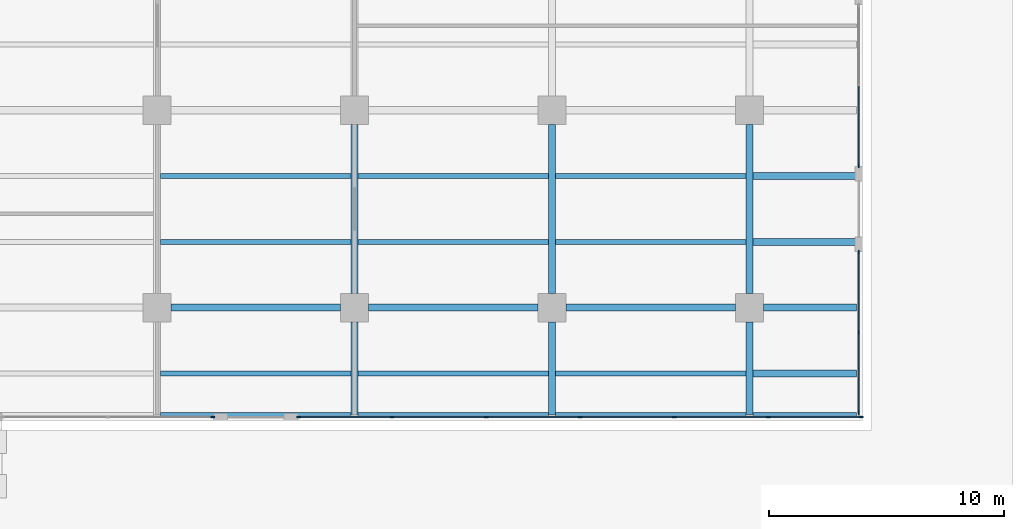
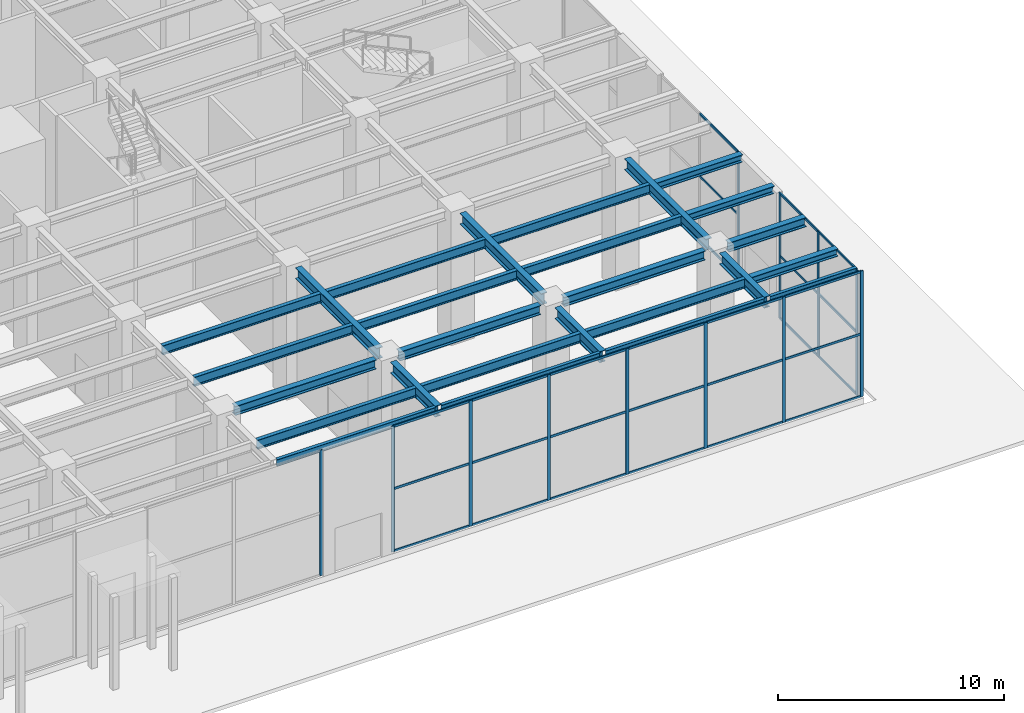
# One storey, part 11 of 43: 39 members, 26 beams, 4 elements without a shape of their own.
"""IFC4 building model written with IfcOpenShell, lengths in metres."""

import ifcopenshell
import ifcopenshell.guid

model = None  # the IFC model being written
_history = None  # IfcOwnerHistory: only IFC2X3 demands one
_inside = {}  # id of a spatial element -> (the spatial element, [elements in it])
_under = {}  # id of a project, library or spatial element -> (it, [spatial elements below it])
_declared = {}  # id of a project -> (the project, [libraries it declares])
_typed = {}  # id of a type object -> (the type object, [elements of that type])
_made_of = {}  # id of a material, layer set ... -> (it, [elements and type objects made of it])


def new_model(schema):
    """Start an empty IFC model of exactly this schema.

    Asked for "IFC4X3", IfcOpenShell would pick the latest addendum, in which some entities
    have other attributes; the version numbers below select the first issue.
    IFC2X3 requires an IfcOwnerHistory on every rooted entity: one is made here for all.
    """
    global model, _history
    if schema == "IFC4X3":
        model = ifcopenshell.file(schema_version=(4, 3, 0, 0))
    else:
        model = ifcopenshell.file(schema=schema)
    _inside.clear()
    _under.clear()
    _declared.clear()
    _typed.clear()
    _made_of.clear()
    _history = None
    if model.schema == "IFC2X3":
        org = make("IfcOrganization", Name="unknown")
        user = make(
            "IfcPersonAndOrganization",
            ThePerson=make("IfcPerson", FamilyName="unknown"),
            TheOrganization=org,
        )
        app = make(
            "IfcApplication",
            ApplicationDeveloper=org,
            Version="unknown",
            ApplicationFullName="unknown",
            ApplicationIdentifier="unknown",
        )
        _history = make(
            "IfcOwnerHistory",
            OwningUser=user,
            OwningApplication=app,
            ChangeAction="ADDED",
            CreationDate=0,
        )
    return model


def make(cls, **values):
    """One entity of the class cls with the attributes given. An attribute that is None is left unset."""
    return model.create_entity(
        cls, **{name: value for name, value in values.items() if value is not None}
    )


def rooted(cls, **values):
    """An entity with a GlobalId (a new one), such as an element, a storey or a relation."""
    return make(cls, GlobalId=ifcopenshell.guid.new(), OwnerHistory=_history, **values)


def si_unit(unit_type, name, prefix=None):
    """IfcSIUnit, for example si_unit("LENGTHUNIT", "METRE", prefix="MILLI")."""
    return make("IfcSIUnit", UnitType=unit_type, Prefix=prefix, Name=name)


def assignment(units):
    """IfcUnitAssignment: the units of a project."""
    return None if units is None else make("IfcUnitAssignment", Units=units)


def point(xyz):
    """IfcCartesianPoint."""
    return None if xyz is None else make("IfcCartesianPoint", Coordinates=xyz)


def direction(xyz):
    """IfcDirection."""
    return None if xyz is None else make("IfcDirection", DirectionRatios=xyz)


def frame(location, z_axis=None, x_axis=None):
    """IfcAxis2Placement3D, a coordinate frame: its origin and axes. An axis left out is left unset."""
    return make(
        "IfcAxis2Placement3D",
        Location=point(location),
        Axis=direction(z_axis),
        RefDirection=direction(x_axis),
    )


def frame_2d(location, x_axis=None):
    """IfcAxis2Placement2D, a coordinate frame in the plane: its origin and x axis."""
    return make(
        "IfcAxis2Placement2D", Location=point(location), RefDirection=direction(x_axis)
    )


def origin():
    """The frame at (0, 0, 0) with its axes left unset."""
    return frame((0.0, 0.0, 0.0))


def origin_2d():
    """The frame at (0, 0) in the plane with its x axis left unset."""
    return frame_2d((0.0, 0.0))


def place(relative_to, where):
    """IfcLocalPlacement: puts the frame where relative to a parent placement (None: the world)."""
    return make(
        "IfcLocalPlacement", PlacementRelTo=relative_to, RelativePlacement=where
    )


def context(
    kind, dimensions, precision=None, world=None, true_north=None, identifier=None
):
    """IfcGeometricRepresentationContext, for example the 3D "Model" context."""
    return make(
        "IfcGeometricRepresentationContext",
        ContextIdentifier=identifier,
        ContextType=kind,
        CoordinateSpaceDimension=dimensions,
        Precision=precision,
        WorldCoordinateSystem=world,
        TrueNorth=true_north,
    )


def subcontext(parent, identifier, kind, view, scale=None):
    """IfcGeometricRepresentationSubContext, for example "Body" below "Model"."""
    return make(
        "IfcGeometricRepresentationSubContext",
        ContextIdentifier=identifier,
        ContextType=kind,
        ParentContext=parent,
        TargetScale=scale,
        TargetView=view,
    )


def project(units=None, contexts=None):
    """IfcProject with its units and contexts."""
    return rooted(
        "IfcProject",
        Name="project",
        RepresentationContexts=contexts,
        UnitsInContext=assignment(units),
    )


def spatial(cls, under=None, at=None, **own):
    """A site, building, storey or space (cls), placed at a placement, below another one or the project."""
    s = rooted(cls, ObjectPlacement=at, **own)
    if under is not None:
        _under.setdefault(under.id(), (under, []))[1].append(s)
    return s


def profile(cls, at=None, kind="AREA", **sizes):
    """A parametric profile (cls). Its sizes go by their IFC names, for example OverallWidth=200.0."""
    return make(cls, ProfileType=kind, Position=at, **sizes)


def rectangle(**sizes):
    """IfcRectangleProfileDef."""
    return profile("IfcRectangleProfileDef", **sizes)


def i_section(**sizes):
    """IfcIShapeProfileDef."""
    return profile("IfcIShapeProfileDef", **sizes)


def extrude(swept, where, along, depth):
    """IfcExtrudedAreaSolid: the profile swept, set in the frame where, extruded along a direction by depth."""
    return make(
        "IfcExtrudedAreaSolid",
        SweptArea=swept,
        Position=where,
        ExtrudedDirection=direction(along),
        Depth=depth,
    )


def shape(context_of_items, identifier, shape_type, items):
    """IfcShapeRepresentation: the items that make up one representation, for example the "Body"."""
    return make(
        "IfcShapeRepresentation",
        ContextOfItems=context_of_items,
        RepresentationIdentifier=identifier,
        RepresentationType=shape_type,
        Items=items,
    )


def material(Name=None, Category=None):
    """IfcMaterial."""
    return make("IfcMaterial", Name=Name, Category=Category)


def material_profile(
    of_material, cross_section, Name=None, Category=None, Priority=None
):
    """IfcMaterialProfile: a cross section and its material."""
    return make(
        "IfcMaterialProfile",
        Name=Name,
        Material=of_material,
        Profile=cross_section,
        Priority=Priority,
        Category=Category,
    )


def profile_set(profiles, Name=None, composite=None):
    """IfcMaterialProfileSet."""
    return make(
        "IfcMaterialProfileSet",
        Name=Name,
        MaterialProfiles=profiles,
        CompositeProfile=composite,
    )


def made_of(thing, what):
    """Note that an element or type object is made of a material, layer set ...; save() writes the relation."""
    if what is not None:
        _made_of.setdefault(what.id(), (what, []))[1].append(thing)
    return thing


def type_object(cls, material=None, **own):
    """A type object (cls), such as IfcWallType, which elements share."""
    return made_of(rooted(cls, **own), material)


def element(
    cls,
    number,
    at=None,
    inside=None,
    cuts=None,
    type_object=None,
    material=None,
    context=None,
    identifier="Body",
    shape_type=None,
    held_by="IfcProductDefinitionShape",
    body=None,
    shapes=None,
    **own,
):
    """One element of the class cls, such as IfcWall. Its Tag is "e" and its number.

    at: its placement. inside: the storey or other place that contains it. cuts: it is an
    opening in that element (IfcRelVoidsElement). A single representation is given by context,
    identifier, shape_type and body (its items); several are given by shapes. held_by: the class
    of the entity that holds the representations. save() writes the other relations.
    """
    e = rooted(cls, Tag="e%d" % number, ObjectPlacement=at, **own)
    if body is not None:
        shapes = [shape(context, identifier, shape_type, body)]
    if shapes is not None:
        e.Representation = make(held_by, Representations=shapes)
    if inside is not None:
        _inside.setdefault(inside.id(), (inside, []))[1].append(e)
    if cuts is not None:
        rooted(
            "IfcRelVoidsElement", RelatingBuildingElement=cuts, RelatedOpeningElement=e
        )
    if type_object is not None:
        _typed.setdefault(type_object.id(), (type_object, []))[1].append(e)
    return made_of(e, material)


def aggregate(whole, parts):
    """IfcRelAggregates: a whole, such as a stair, and the parts it consists of."""
    return rooted("IfcRelAggregates", RelatingObject=whole, RelatedObjects=parts)


def save(model, path):
    """Write the relations noted so far, then the file.

    IfcRelAggregates (storeys below a building ...), IfcRelContainedInSpatialStructure (elements
    in a storey), IfcRelDefinesByType, IfcRelAssociatesMaterial and IfcRelDeclares: one each for
    every whole, place, type object, material and project.
    """
    for whole, parts in _under.values():
        aggregate(whole, parts)
    for where, things in _inside.values():
        rooted(
            "IfcRelContainedInSpatialStructure",
            RelatedElements=things,
            RelatingStructure=where,
        )
    for kind, things in _typed.values():
        rooted("IfcRelDefinesByType", RelatedObjects=things, RelatingType=kind)
    for what, things in _made_of.values():
        rooted("IfcRelAssociatesMaterial", RelatedObjects=things, RelatingMaterial=what)
    for by, libraries in _declared.values():
        rooted("IfcRelDeclares", RelatingContext=by, RelatedDefinitions=libraries)
    model.write(path)


model = new_model("IFC4")

# Units and contexts
model_context = context("Model", 3, precision=1e-05, world=origin(), true_north=direction((0.0, 1.0)))
body_context = subcontext(model_context, "Body", "Model", "MODEL_VIEW")
ifc_project = project(units=[si_unit("LENGTHUNIT", "METRE"), si_unit("AREAUNIT", "SQUARE_METRE"), si_unit("VOLUMEUNIT", "CUBIC_METRE"), si_unit("PLANEANGLEUNIT", "RADIAN"), si_unit("MASSUNIT", "GRAM", prefix="KILO")], contexts=[model_context])

# Site, building, storey
site_placement = place(None, origin())
site = spatial("IfcSite", under=ifc_project, at=site_placement, CompositionType="ELEMENT")
building_placement = place(site_placement, origin())
building = spatial("IfcBuilding", under=site, at=building_placement, Name="Khepri Terraces", CompositionType="ELEMENT")
storey_placement = place(building_placement, origin())
storey = spatial("IfcBuildingStorey", under=building, at=storey_placement, Name="L00", CompositionType="ELEMENT", Elevation=0.0)

# Curtain wall, members
ifc_material_1 = material(Name="Anodised aluminium bronze curtain wall", Category="aluminium")
curtain_wall_type = type_object("IfcCurtainWallType", Name="CW-SYS1-LOBBY", PredefinedType="NOTDEFINED", material=ifc_material_1)
curtain_wall_1_placement = place(storey_placement, origin())
curtain_wall_1 = element("IfcCurtainWall", 1, at=curtain_wall_1_placement, inside=storey, type_object=curtain_wall_type, Name="Curtain wall CW1 L00 E", PredefinedType="NOTDEFINED")
ifc_material_2 = material(Name="Anodised aluminium bronze", Category="aluminium")
ifc_material_profile_1 = material_profile(ifc_material_2, rectangle(XDim=0.06005859375, YDim=0.159912109375, at=origin_2d()), Name="Anodised aluminium bronze", Category="aluminium")
ifc_profile_set_1 = profile_set([ifc_material_profile_1], Name="Anodised aluminium bronze")
member_type_1 = type_object("IfcMemberType", Name="CW-MULLION-60x160", PredefinedType="MULLION", material=ifc_profile_set_1)
member_1_placement = place(storey_placement, frame((46.64990234375, -46.469970703125, 0.0), z_axis=(0.0, 0.0, 1.0), x_axis=(-1.0, 0.0, 0.0)))
member_1 = element("IfcMember", 2, at=member_1_placement, type_object=member_type_1, Name="CW1 mullion 1", PredefinedType="MULLION", context=body_context, shape_type="SweptSolid", body=[
    extrude(rectangle(XDim=0.06005859375, YDim=0.159912109375, at=origin_2d()), origin(), (0.0, 0.0, 1.0), 6.780029296875),
])
member_2_placement = place(storey_placement, frame((46.64990234375, -43.050048828125, 0.0), z_axis=(0.0, 0.0, 1.0), x_axis=(-1.0, 0.0, 0.0)))
member_2 = element("IfcMember", 3, at=member_2_placement, type_object=member_type_1, Name="CW1 mullion 2", PredefinedType="MULLION", context=body_context, shape_type="SweptSolid", body=[
    extrude(rectangle(XDim=0.06005859375, YDim=0.159912109375, at=origin_2d()), origin(), (0.0, 0.0, 1.0), 6.780029296875),
])
member_3_placement = place(storey_placement, frame((46.64990234375, -39.6298828125, 0.0), z_axis=(0.0, 0.0, 1.0), x_axis=(-1.0, 0.0, 0.0)))
member_3 = element("IfcMember", 4, at=member_3_placement, type_object=member_type_1, Name="CW1 mullion 3", PredefinedType="MULLION", context=body_context, shape_type="SweptSolid", body=[
    extrude(rectangle(XDim=0.06005859375, YDim=0.159912109375, at=origin_2d()), origin(), (0.0, 0.0, 1.0), 6.780029296875),
])

# Curtain wall, member
curtain_wall_2_placement = place(storey_placement, origin())
curtain_wall_2 = element("IfcCurtainWall", 5, at=curtain_wall_2_placement, inside=storey, type_object=curtain_wall_type, Name="Curtain wall CW1 L00 E", PredefinedType="NOTDEFINED")
member_4_placement = place(storey_placement, frame((46.64990234375, -35.969970703125, 0.0), z_axis=(0.0, 0.0, 1.0), x_axis=(-1.0, 0.0, 0.0)))
member_4 = element("IfcMember", 6, at=member_4_placement, type_object=member_type_1, Name="CW1 mullion 1", PredefinedType="MULLION", context=body_context, shape_type="SweptSolid", body=[
    extrude(rectangle(XDim=0.06005859375, YDim=0.159912109375, at=origin_2d()), origin(), (0.0, 0.0, 1.0), 6.780029296875),
])

curtain_wall_3_placement = place(storey_placement, origin())
curtain_wall_3 = element("IfcCurtainWall", 7, at=curtain_wall_3_placement, inside=storey, type_object=curtain_wall_type, Name="Curtain wall CW1 L00 S", PredefinedType="NOTDEFINED")
member_5_placement = place(storey_placement, frame((19.169921875, -46.64990234375, 0.0), z_axis=(0.0, 0.0, 1.0), x_axis=(0.0, 1.0, 0.0)))
member_5 = element("IfcMember", 8, at=member_5_placement, type_object=member_type_1, Name="CW1 mullion 3", PredefinedType="MULLION", context=body_context, shape_type="SweptSolid", body=[
    extrude(rectangle(XDim=0.06005859375, YDim=0.159912109375, at=origin_2d()), origin(), (0.0, 0.0, 1.0), 6.780029296875),
])
aggregate(curtain_wall_3, [member_5])

# Curtain wall, members
curtain_wall_4_placement = place(storey_placement, origin())
curtain_wall_4 = element("IfcCurtainWall", 9, at=curtain_wall_4_placement, inside=storey, type_object=curtain_wall_type, Name="Curtain wall CW1 L00 S", PredefinedType="NOTDEFINED")
member_6_placement = place(storey_placement, frame((22.830078125, -46.64990234375, 0.0), z_axis=(0.0, 0.0, 1.0), x_axis=(0.0, 1.0, 0.0)))
member_6 = element("IfcMember", 10, at=member_6_placement, type_object=member_type_1, Name="CW1 mullion 1", PredefinedType="MULLION", context=body_context, shape_type="SweptSolid", body=[
    extrude(rectangle(XDim=0.06005859375, YDim=0.159912109375, at=origin_2d()), origin(), (0.0, 0.0, 1.0), 6.780029296875),
])
member_7_placement = place(storey_placement, frame((26.800048828125, -46.64990234375, 0.0), z_axis=(0.0, 0.0, 1.0), x_axis=(0.0, 1.0, 0.0)))
member_7 = element("IfcMember", 11, at=member_7_placement, type_object=member_type_1, Name="CW1 mullion 2", PredefinedType="MULLION", context=body_context, shape_type="SweptSolid", body=[
    extrude(rectangle(XDim=0.06005859375, YDim=0.159912109375, at=origin_2d()), origin(), (0.0, 0.0, 1.0), 6.780029296875),
])
member_8_placement = place(storey_placement, frame((30.800048828125, -46.64990234375, 0.0), z_axis=(0.0, 0.0, 1.0), x_axis=(0.0, 1.0, 0.0)))
member_8 = element("IfcMember", 12, at=member_8_placement, type_object=member_type_1, Name="CW1 mullion 3", PredefinedType="MULLION", context=body_context, shape_type="SweptSolid", body=[
    extrude(rectangle(XDim=0.06005859375, YDim=0.159912109375, at=origin_2d()), origin(), (0.0, 0.0, 1.0), 6.780029296875),
])
member_9_placement = place(storey_placement, frame((34.800048828125, -46.64990234375, 0.0), z_axis=(0.0, 0.0, 1.0), x_axis=(0.0, 1.0, 0.0)))
member_9 = element("IfcMember", 13, at=member_9_placement, type_object=member_type_1, Name="CW1 mullion 4", PredefinedType="MULLION", context=body_context, shape_type="SweptSolid", body=[
    extrude(rectangle(XDim=0.06005859375, YDim=0.159912109375, at=origin_2d()), origin(), (0.0, 0.0, 1.0), 6.780029296875),
])
member_10_placement = place(storey_placement, frame((38.800048828125, -46.64990234375, 0.0), z_axis=(0.0, 0.0, 1.0), x_axis=(0.0, 1.0, 0.0)))
member_10 = element("IfcMember", 14, at=member_10_placement, type_object=member_type_1, Name="CW1 mullion 5", PredefinedType="MULLION", context=body_context, shape_type="SweptSolid", body=[
    extrude(rectangle(XDim=0.06005859375, YDim=0.159912109375, at=origin_2d()), origin(), (0.0, 0.0, 1.0), 6.780029296875),
])
member_11_placement = place(storey_placement, frame((42.800048828125, -46.64990234375, 0.0), z_axis=(0.0, 0.0, 1.0), x_axis=(0.0, 1.0, 0.0)))
member_11 = element("IfcMember", 15, at=member_11_placement, type_object=member_type_1, Name="CW1 mullion 6", PredefinedType="MULLION", context=body_context, shape_type="SweptSolid", body=[
    extrude(rectangle(XDim=0.06005859375, YDim=0.159912109375, at=origin_2d()), origin(), (0.0, 0.0, 1.0), 6.780029296875),
])
member_12_placement = place(storey_placement, frame((46.77001953125, -46.64990234375, 0.0), z_axis=(0.0, 0.0, 1.0), x_axis=(0.0, 1.0, 0.0)))
member_12 = element("IfcMember", 16, at=member_12_placement, type_object=member_type_1, Name="CW1 mullion 7", PredefinedType="MULLION", context=body_context, shape_type="SweptSolid", body=[
    extrude(rectangle(XDim=0.06005859375, YDim=0.159912109375, at=origin_2d()), origin(), (0.0, 0.0, 1.0), 6.780029296875),
])

# Member
ifc_material_profile_2 = material_profile(ifc_material_2, rectangle(XDim=0.06005859375, YDim=0.1201171875, at=origin_2d()), Name="Anodised aluminium bronze", Category="aluminium")
ifc_profile_set_2 = profile_set([ifc_material_profile_2], Name="Anodised aluminium bronze")
member_type_2 = type_object("IfcMemberType", Name="CW-TRANSOM-60x120", PredefinedType="USERDEFINED", material=ifc_profile_set_2)
member_13_placement = place(storey_placement, frame((46.64990234375, -46.43994140625, 0.030029296875), z_axis=(0.0, 1.0, 0.0), x_axis=(-1.0, 0.0, 0.0)))
member_13 = element("IfcMember", 17, at=member_13_placement, type_object=member_type_2, Name="CW1 transom 1.1", ObjectType="TRANSOM", PredefinedType="USERDEFINED", context=body_context, shape_type="SweptSolid", body=[
    extrude(rectangle(XDim=0.06005859375, YDim=0.1201171875, at=origin_2d()), origin(), (0.0, 0.0, 1.0), 3.35986328125),
])

member_14_placement = place(storey_placement, frame((46.64990234375, -46.43994140625, 3.389892578125), z_axis=(0.0, 1.0, 0.0), x_axis=(-1.0, 0.0, 0.0)))
member_14 = element("IfcMember", 18, at=member_14_placement, type_object=member_type_2, Name="CW1 transom 1.2", ObjectType="TRANSOM", PredefinedType="USERDEFINED", context=body_context, shape_type="SweptSolid", body=[
    extrude(rectangle(XDim=0.06005859375, YDim=0.1201171875, at=origin_2d()), origin(), (0.0, 0.0, 1.0), 3.35986328125),
])

member_15_placement = place(storey_placement, frame((46.64990234375, -46.43994140625, 6.75), z_axis=(0.0, 1.0, 0.0), x_axis=(-1.0, 0.0, 0.0)))
member_15 = element("IfcMember", 19, at=member_15_placement, type_object=member_type_2, Name="CW1 transom 1.3", ObjectType="TRANSOM", PredefinedType="USERDEFINED", context=body_context, shape_type="SweptSolid", body=[
    extrude(rectangle(XDim=0.06005859375, YDim=0.1201171875, at=origin_2d()), origin(), (0.0, 0.0, 1.0), 3.35986328125),
])

member_16_placement = place(storey_placement, frame((46.64990234375, -43.02001953125, 0.030029296875), z_axis=(0.0, 1.0, 0.0), x_axis=(-1.0, 0.0, 0.0)))
member_16 = element("IfcMember", 20, at=member_16_placement, type_object=member_type_2, Name="CW1 transom 2.1", ObjectType="TRANSOM", PredefinedType="USERDEFINED", context=body_context, shape_type="SweptSolid", body=[
    extrude(rectangle(XDim=0.06005859375, YDim=0.1201171875, at=origin_2d()), origin(), (0.0, 0.0, 1.0), 3.360107421875),
])

member_17_placement = place(storey_placement, frame((46.64990234375, -43.02001953125, 3.389892578125), z_axis=(0.0, 1.0, 0.0), x_axis=(-1.0, 0.0, 0.0)))
member_17 = element("IfcMember", 21, at=member_17_placement, type_object=member_type_2, Name="CW1 transom 2.2", ObjectType="TRANSOM", PredefinedType="USERDEFINED", context=body_context, shape_type="SweptSolid", body=[
    extrude(rectangle(XDim=0.06005859375, YDim=0.1201171875, at=origin_2d()), origin(), (0.0, 0.0, 1.0), 3.360107421875),
])

member_18_placement = place(storey_placement, frame((46.64990234375, -43.02001953125, 6.75), z_axis=(0.0, 1.0, 0.0), x_axis=(-1.0, 0.0, 0.0)))
member_18 = element("IfcMember", 22, at=member_18_placement, type_object=member_type_2, Name="CW1 transom 2.3", ObjectType="TRANSOM", PredefinedType="USERDEFINED", context=body_context, shape_type="SweptSolid", body=[
    extrude(rectangle(XDim=0.06005859375, YDim=0.1201171875, at=origin_2d()), origin(), (0.0, 0.0, 1.0), 3.360107421875),
])

aggregate(curtain_wall_1, [member_1, member_2, member_3, member_13, member_14, member_15, member_16, member_17, member_18])

member_19_placement = place(storey_placement, frame((46.64990234375, -35.93994140625, 0.030029296875), z_axis=(0.0, 1.0, 0.0), x_axis=(-1.0, 0.0, 0.0)))
member_19 = element("IfcMember", 23, at=member_19_placement, type_object=member_type_2, Name="CW1 transom 1.1", ObjectType="TRANSOM", PredefinedType="USERDEFINED", context=body_context, shape_type="SweptSolid", body=[
    extrude(rectangle(XDim=0.06005859375, YDim=0.1201171875, at=origin_2d()), origin(), (0.0, 0.0, 1.0), 3.35986328125),
])

member_20_placement = place(storey_placement, frame((46.64990234375, -35.93994140625, 3.389892578125), z_axis=(0.0, 1.0, 0.0), x_axis=(-1.0, 0.0, 0.0)))
member_20 = element("IfcMember", 24, at=member_20_placement, type_object=member_type_2, Name="CW1 transom 1.2", ObjectType="TRANSOM", PredefinedType="USERDEFINED", context=body_context, shape_type="SweptSolid", body=[
    extrude(rectangle(XDim=0.06005859375, YDim=0.1201171875, at=origin_2d()), origin(), (0.0, 0.0, 1.0), 3.35986328125),
])

member_21_placement = place(storey_placement, frame((46.64990234375, -35.93994140625, 6.75), z_axis=(0.0, 1.0, 0.0), x_axis=(-1.0, 0.0, 0.0)))
member_21 = element("IfcMember", 25, at=member_21_placement, type_object=member_type_2, Name="CW1 transom 1.3", ObjectType="TRANSOM", PredefinedType="USERDEFINED", context=body_context, shape_type="SweptSolid", body=[
    extrude(rectangle(XDim=0.06005859375, YDim=0.1201171875, at=origin_2d()), origin(), (0.0, 0.0, 1.0), 3.35986328125),
])

aggregate(curtain_wall_2, [member_4, member_19, member_20, member_21])

member_22_placement = place(storey_placement, frame((22.860107421875, -46.64990234375, 0.030029296875), z_axis=(1.0, 0.0, 0.0), x_axis=(0.0, 1.0, 0.0)))
member_22 = element("IfcMember", 26, at=member_22_placement, type_object=member_type_2, Name="CW1 transom 1.1", ObjectType="TRANSOM", PredefinedType="USERDEFINED", context=body_context, shape_type="SweptSolid", body=[
    extrude(rectangle(XDim=0.06005859375, YDim=0.1201171875, at=origin_2d()), origin(), (0.0, 0.0, 1.0), 3.909912109375),
])

member_23_placement = place(storey_placement, frame((22.860107421875, -46.64990234375, 3.389892578125), z_axis=(1.0, 0.0, 0.0), x_axis=(0.0, 1.0, 0.0)))
member_23 = element("IfcMember", 27, at=member_23_placement, type_object=member_type_2, Name="CW1 transom 1.2", ObjectType="TRANSOM", PredefinedType="USERDEFINED", context=body_context, shape_type="SweptSolid", body=[
    extrude(rectangle(XDim=0.06005859375, YDim=0.1201171875, at=origin_2d()), origin(), (0.0, 0.0, 1.0), 3.909912109375),
])

member_24_placement = place(storey_placement, frame((22.860107421875, -46.64990234375, 6.75), z_axis=(1.0, 0.0, 0.0), x_axis=(0.0, 1.0, 0.0)))
member_24 = element("IfcMember", 28, at=member_24_placement, type_object=member_type_2, Name="CW1 transom 1.3", ObjectType="TRANSOM", PredefinedType="USERDEFINED", context=body_context, shape_type="SweptSolid", body=[
    extrude(rectangle(XDim=0.06005859375, YDim=0.1201171875, at=origin_2d()), origin(), (0.0, 0.0, 1.0), 3.909912109375),
])

member_25_placement = place(storey_placement, frame((26.830078125, -46.64990234375, 0.030029296875), z_axis=(1.0, 0.0, 0.0), x_axis=(0.0, 1.0, 0.0)))
member_25 = element("IfcMember", 29, at=member_25_placement, type_object=member_type_2, Name="CW1 transom 2.1", ObjectType="TRANSOM", PredefinedType="USERDEFINED", context=body_context, shape_type="SweptSolid", body=[
    extrude(rectangle(XDim=0.06005859375, YDim=0.1201171875, at=origin_2d()), origin(), (0.0, 0.0, 1.0), 3.93994140625),
])

member_26_placement = place(storey_placement, frame((26.830078125, -46.64990234375, 3.389892578125), z_axis=(1.0, 0.0, 0.0), x_axis=(0.0, 1.0, 0.0)))
member_26 = element("IfcMember", 30, at=member_26_placement, type_object=member_type_2, Name="CW1 transom 2.2", ObjectType="TRANSOM", PredefinedType="USERDEFINED", context=body_context, shape_type="SweptSolid", body=[
    extrude(rectangle(XDim=0.06005859375, YDim=0.1201171875, at=origin_2d()), origin(), (0.0, 0.0, 1.0), 3.93994140625),
])

member_27_placement = place(storey_placement, frame((26.830078125, -46.64990234375, 6.75), z_axis=(1.0, 0.0, 0.0), x_axis=(0.0, 1.0, 0.0)))
member_27 = element("IfcMember", 31, at=member_27_placement, type_object=member_type_2, Name="CW1 transom 2.3", ObjectType="TRANSOM", PredefinedType="USERDEFINED", context=body_context, shape_type="SweptSolid", body=[
    extrude(rectangle(XDim=0.06005859375, YDim=0.1201171875, at=origin_2d()), origin(), (0.0, 0.0, 1.0), 3.93994140625),
])

member_28_placement = place(storey_placement, frame((30.830078125, -46.64990234375, 0.030029296875), z_axis=(1.0, 0.0, 0.0), x_axis=(0.0, 1.0, 0.0)))
member_28 = element("IfcMember", 32, at=member_28_placement, type_object=member_type_2, Name="CW1 transom 3.1", ObjectType="TRANSOM", PredefinedType="USERDEFINED", context=body_context, shape_type="SweptSolid", body=[
    extrude(rectangle(XDim=0.06005859375, YDim=0.1201171875, at=origin_2d()), origin(), (0.0, 0.0, 1.0), 3.93994140625),
])

member_29_placement = place(storey_placement, frame((30.830078125, -46.64990234375, 3.389892578125), z_axis=(1.0, 0.0, 0.0), x_axis=(0.0, 1.0, 0.0)))
member_29 = element("IfcMember", 33, at=member_29_placement, type_object=member_type_2, Name="CW1 transom 3.2", ObjectType="TRANSOM", PredefinedType="USERDEFINED", context=body_context, shape_type="SweptSolid", body=[
    extrude(rectangle(XDim=0.06005859375, YDim=0.1201171875, at=origin_2d()), origin(), (0.0, 0.0, 1.0), 3.93994140625),
])

member_30_placement = place(storey_placement, frame((30.830078125, -46.64990234375, 6.75), z_axis=(1.0, 0.0, 0.0), x_axis=(0.0, 1.0, 0.0)))
member_30 = element("IfcMember", 34, at=member_30_placement, type_object=member_type_2, Name="CW1 transom 3.3", ObjectType="TRANSOM", PredefinedType="USERDEFINED", context=body_context, shape_type="SweptSolid", body=[
    extrude(rectangle(XDim=0.06005859375, YDim=0.1201171875, at=origin_2d()), origin(), (0.0, 0.0, 1.0), 3.93994140625),
])

member_31_placement = place(storey_placement, frame((34.830078125, -46.64990234375, 0.030029296875), z_axis=(1.0, 0.0, 0.0), x_axis=(0.0, 1.0, 0.0)))
member_31 = element("IfcMember", 35, at=member_31_placement, type_object=member_type_2, Name="CW1 transom 4.1", ObjectType="TRANSOM", PredefinedType="USERDEFINED", context=body_context, shape_type="SweptSolid", body=[
    extrude(rectangle(XDim=0.06005859375, YDim=0.1201171875, at=origin_2d()), origin(), (0.0, 0.0, 1.0), 3.93994140625),
])

member_32_placement = place(storey_placement, frame((34.830078125, -46.64990234375, 3.389892578125), z_axis=(1.0, 0.0, 0.0), x_axis=(0.0, 1.0, 0.0)))
member_32 = element("IfcMember", 36, at=member_32_placement, type_object=member_type_2, Name="CW1 transom 4.2", ObjectType="TRANSOM", PredefinedType="USERDEFINED", context=body_context, shape_type="SweptSolid", body=[
    extrude(rectangle(XDim=0.06005859375, YDim=0.1201171875, at=origin_2d()), origin(), (0.0, 0.0, 1.0), 3.93994140625),
])

member_33_placement = place(storey_placement, frame((34.830078125, -46.64990234375, 6.75), z_axis=(1.0, 0.0, 0.0), x_axis=(0.0, 1.0, 0.0)))
member_33 = element("IfcMember", 37, at=member_33_placement, type_object=member_type_2, Name="CW1 transom 4.3", ObjectType="TRANSOM", PredefinedType="USERDEFINED", context=body_context, shape_type="SweptSolid", body=[
    extrude(rectangle(XDim=0.06005859375, YDim=0.1201171875, at=origin_2d()), origin(), (0.0, 0.0, 1.0), 3.93994140625),
])

member_34_placement = place(storey_placement, frame((38.830078125, -46.64990234375, 0.030029296875), z_axis=(1.0, 0.0, 0.0), x_axis=(0.0, 1.0, 0.0)))
member_34 = element("IfcMember", 38, at=member_34_placement, type_object=member_type_2, Name="CW1 transom 5.1", ObjectType="TRANSOM", PredefinedType="USERDEFINED", context=body_context, shape_type="SweptSolid", body=[
    extrude(rectangle(XDim=0.06005859375, YDim=0.1201171875, at=origin_2d()), origin(), (0.0, 0.0, 1.0), 3.93994140625),
])

member_35_placement = place(storey_placement, frame((38.830078125, -46.64990234375, 3.389892578125), z_axis=(1.0, 0.0, 0.0), x_axis=(0.0, 1.0, 0.0)))
member_35 = element("IfcMember", 39, at=member_35_placement, type_object=member_type_2, Name="CW1 transom 5.2", ObjectType="TRANSOM", PredefinedType="USERDEFINED", context=body_context, shape_type="SweptSolid", body=[
    extrude(rectangle(XDim=0.06005859375, YDim=0.1201171875, at=origin_2d()), origin(), (0.0, 0.0, 1.0), 3.93994140625),
])

member_36_placement = place(storey_placement, frame((38.830078125, -46.64990234375, 6.75), z_axis=(1.0, 0.0, 0.0), x_axis=(0.0, 1.0, 0.0)))
member_36 = element("IfcMember", 40, at=member_36_placement, type_object=member_type_2, Name="CW1 transom 5.3", ObjectType="TRANSOM", PredefinedType="USERDEFINED", context=body_context, shape_type="SweptSolid", body=[
    extrude(rectangle(XDim=0.06005859375, YDim=0.1201171875, at=origin_2d()), origin(), (0.0, 0.0, 1.0), 3.93994140625),
])

member_37_placement = place(storey_placement, frame((42.830078125, -46.64990234375, 0.030029296875), z_axis=(1.0, 0.0, 0.0), x_axis=(0.0, 1.0, 0.0)))
member_37 = element("IfcMember", 41, at=member_37_placement, type_object=member_type_2, Name="CW1 transom 6.1", ObjectType="TRANSOM", PredefinedType="USERDEFINED", context=body_context, shape_type="SweptSolid", body=[
    extrude(rectangle(XDim=0.06005859375, YDim=0.1201171875, at=origin_2d()), origin(), (0.0, 0.0, 1.0), 3.909912109375),
])

member_38_placement = place(storey_placement, frame((42.830078125, -46.64990234375, 3.389892578125), z_axis=(1.0, 0.0, 0.0), x_axis=(0.0, 1.0, 0.0)))
member_38 = element("IfcMember", 42, at=member_38_placement, type_object=member_type_2, Name="CW1 transom 6.2", ObjectType="TRANSOM", PredefinedType="USERDEFINED", context=body_context, shape_type="SweptSolid", body=[
    extrude(rectangle(XDim=0.06005859375, YDim=0.1201171875, at=origin_2d()), origin(), (0.0, 0.0, 1.0), 3.909912109375),
])

member_39_placement = place(storey_placement, frame((42.830078125, -46.64990234375, 6.75), z_axis=(1.0, 0.0, 0.0), x_axis=(0.0, 1.0, 0.0)))
member_39 = element("IfcMember", 43, at=member_39_placement, type_object=member_type_2, Name="CW1 transom 6.3", ObjectType="TRANSOM", PredefinedType="USERDEFINED", context=body_context, shape_type="SweptSolid", body=[
    extrude(rectangle(XDim=0.06005859375, YDim=0.1201171875, at=origin_2d()), origin(), (0.0, 0.0, 1.0), 3.909912109375),
])

aggregate(curtain_wall_4, [member_6, member_7, member_8, member_9, member_10, member_11, member_12, member_22, member_23, member_24, member_25, member_26, member_27, member_28, member_29, member_30, member_31, member_32, member_33, member_34, member_35, member_36, member_37, member_38, member_39])

# Beams
ifc_material_3 = material(Name="Steel S355", Category="steel")
ifc_material_profile_3 = material_profile(ifc_material_3, i_section(OverallWidth=0.169921875, OverallDepth=0.360107421875, WebThickness=0.008056640625, FlangeThickness=0.0126953125, FilletRadius=0.01806640625, at=origin_2d()), Name="Steel S355", Category="steel")
ifc_profile_set_3 = profile_set([ifc_material_profile_3], Name="Steel S355")
beam_type_1 = type_object("IfcBeamType", Name="Podium cantilever edge beam L01 IPE 360", PredefinedType="SPANDREL", material=ifc_profile_set_3)
beam_1_placement = place(storey_placement, frame((42.14990234375, -46.550048828125, 6.820068359375), z_axis=(1.0, 0.0, 0.0), x_axis=(0.0, 1.0, 0.0)))
element("IfcBeam", 44, at=beam_1_placement, inside=storey, type_object=beam_type_1, Name="Podium edge beam L01 012", PredefinedType="SPANDREL", context=body_context, shape_type="SweptSolid", body=[
    extrude(i_section(OverallWidth=0.169921875, OverallDepth=0.360107421875, WebThickness=0.008056640625, FlangeThickness=0.0126953125, FilletRadius=0.01806640625, at=origin_2d()), origin(), (0.0, 0.0, 1.0), 4.400146484375),
])
ifc_material_profile_4 = material_profile(ifc_material_3, i_section(OverallWidth=0.300048828125, OverallDepth=0.60009765625, WebThickness=0.015380859375, FlangeThickness=0.030029296875, FilletRadius=0.027099609375, at=origin_2d()), Name="Steel S355", Category="steel")
ifc_profile_set_4 = profile_set([ifc_material_profile_4], Name="Steel S355")
beam_type_2 = type_object("IfcBeamType", Name="Podium cantilever girder L01 HEB 600", PredefinedType="BEAM", material=ifc_profile_set_4)
for number, where, z_axis, x_axis, name in (
    (45, (25.199951171875, -46.550048828125, 6.699951171875), (0.0, 1.0, 0.0), (-1.0, 0.0, 0.0), "Podium girder L01 065"),
    (46, (33.60009765625, -46.550048828125, 6.699951171875), (0.0, 1.0, 0.0), (-1.0, 0.0, 0.0), "Podium girder L01 075"),
    (47, (42.0, -46.550048828125, 6.699951171875), (0.0, 1.0, 0.0), (-1.0, 0.0, 0.0), "Podium girder L01 087"),
):
    element("IfcBeam", number, at=place(storey_placement, frame(where, z_axis=z_axis, x_axis=x_axis)), inside=storey, type_object=beam_type_2, Name=name, PredefinedType="BEAM", context=body_context, shape_type="SweptSolid", body=[
        extrude(i_section(OverallWidth=0.300048828125, OverallDepth=0.60009765625, WebThickness=0.015380859375, FlangeThickness=0.030029296875, FilletRadius=0.027099609375, at=origin_2d()), origin(), (0.0, 0.0, 1.0), 3.949951171875),
    ])
ifc_material_profile_5 = material_profile(ifc_material_3, i_section(OverallWidth=0.300048828125, OverallDepth=0.39990234375, WebThickness=0.013427734375, FlangeThickness=0.02392578125, FilletRadius=0.027099609375, at=origin_2d()), Name="Steel S355", Category="steel")
ifc_profile_set_5 = profile_set([ifc_material_profile_5], Name="Steel S355")
beam_type_3 = type_object("IfcBeamType", Name="Podium cantilever joist L01 HEB 400", PredefinedType="JOIST", material=ifc_profile_set_5)
for number, where, z_axis, x_axis, name in (
    (48, (42.14990234375, -44.800048828125, 6.800048828125), (1.0, 0.0, 0.0), (0.0, 1.0, 0.0), "Podium cantilever joist L01 012"),
    (49, (42.14990234375, -39.199951171875, 6.800048828125), (1.0, 0.0, 0.0), (0.0, 1.0, 0.0), "Podium cantilever joist L01 036"),
    (50, (42.14990234375, -36.39990234375, 6.800048828125), (1.0, 0.0, 0.0), (0.0, 1.0, 0.0), "Podium cantilever joist L01 048"),
):
    element("IfcBeam", number, at=place(storey_placement, frame(where, z_axis=z_axis, x_axis=x_axis)), inside=storey, type_object=beam_type_3, Name=name, PredefinedType="JOIST", context=body_context, shape_type="SweptSolid", body=[
        extrude(i_section(OverallWidth=0.300048828125, OverallDepth=0.39990234375, WebThickness=0.013427734375, FlangeThickness=0.02392578125, FilletRadius=0.027099609375, at=origin_2d()), origin(), (0.0, 0.0, 1.0), 4.400146484375),
    ])
ifc_material_profile_6 = material_profile(ifc_material_3, i_section(OverallWidth=0.169921875, OverallDepth=0.360107421875, WebThickness=0.008056640625, FlangeThickness=0.0126953125, FilletRadius=0.01806640625, at=origin_2d()), Name="Steel S355", Category="steel")
ifc_profile_set_6 = profile_set([ifc_material_profile_6], Name="Steel S355")
beam_type_4 = type_object("IfcBeamType", Name="Podium edge beam L01 IPE 360", PredefinedType="SPANDREL", material=ifc_profile_set_6)
beam_2_placement = place(storey_placement, frame((16.949951171875, -46.550048828125, 6.820068359375), z_axis=(1.0, 0.0, 0.0), x_axis=(0.0, 1.0, 0.0)))
element("IfcBeam", 51, at=beam_2_placement, inside=storey, type_object=beam_type_4, Name="Podium edge beam L01 009", PredefinedType="SPANDREL", context=body_context, shape_type="SweptSolid", body=[
    extrude(i_section(OverallWidth=0.169921875, OverallDepth=0.360107421875, WebThickness=0.008056640625, FlangeThickness=0.0126953125, FilletRadius=0.01806640625, at=origin_2d()), origin(), (0.0, 0.0, 1.0), 8.10009765625),
])
beam_3_placement = place(storey_placement, frame((25.35009765625, -46.550048828125, 6.820068359375), z_axis=(1.0, 0.0, 0.0), x_axis=(0.0, 1.0, 0.0)))
element("IfcBeam", 52, at=beam_3_placement, inside=storey, type_object=beam_type_4, Name="Podium edge beam L01 010", PredefinedType="SPANDREL", context=body_context, shape_type="SweptSolid", body=[
    extrude(i_section(OverallWidth=0.169921875, OverallDepth=0.360107421875, WebThickness=0.008056640625, FlangeThickness=0.0126953125, FilletRadius=0.01806640625, at=origin_2d()), origin(), (0.0, 0.0, 1.0), 8.099853515625),
])
beam_4_placement = place(storey_placement, frame((33.75, -46.550048828125, 6.820068359375), z_axis=(1.0, 0.0, 0.0), x_axis=(0.0, 1.0, 0.0)))
element("IfcBeam", 53, at=beam_4_placement, inside=storey, type_object=beam_type_4, Name="Podium edge beam L01 011", PredefinedType="SPANDREL", context=body_context, shape_type="SweptSolid", body=[
    extrude(i_section(OverallWidth=0.169921875, OverallDepth=0.360107421875, WebThickness=0.008056640625, FlangeThickness=0.0126953125, FilletRadius=0.01806640625, at=origin_2d()), origin(), (0.0, 0.0, 1.0), 8.10009765625),
])
ifc_material_profile_7 = material_profile(ifc_material_3, i_section(OverallWidth=0.300048828125, OverallDepth=0.60009765625, WebThickness=0.015380859375, FlangeThickness=0.030029296875, FilletRadius=0.027099609375, at=origin_2d()), Name="Steel S355", Category="steel")
ifc_profile_set_7 = profile_set([ifc_material_profile_7], Name="Steel S355")
beam_type_5 = type_object("IfcBeamType", Name="Podium girder L01 HEB 600", PredefinedType="BEAM", material=ifc_profile_set_7)
for number, where, z_axis, x_axis, name in (
    (54, (25.199951171875, -41.39990234375, 6.699951171875), (0.0, 1.0, 0.0), (-1.0, 0.0, 0.0), "Podium girder L01 066"),
    (55, (33.60009765625, -41.39990234375, 6.699951171875), (0.0, 1.0, 0.0), (-1.0, 0.0, 0.0), "Podium girder L01 076"),
    (56, (42.0, -41.39990234375, 6.699951171875), (0.0, 1.0, 0.0), (-1.0, 0.0, 0.0), "Podium girder L01 088"),
):
    element("IfcBeam", number, at=place(storey_placement, frame(where, z_axis=z_axis, x_axis=x_axis)), inside=storey, type_object=beam_type_5, Name=name, PredefinedType="BEAM", context=body_context, shape_type="SweptSolid", body=[
        extrude(i_section(OverallWidth=0.300048828125, OverallDepth=0.60009765625, WebThickness=0.015380859375, FlangeThickness=0.030029296875, FilletRadius=0.027099609375, at=origin_2d()), origin(), (0.0, 0.0, 1.0), 7.199951171875),
    ])
ifc_material_profile_8 = material_profile(ifc_material_3, i_section(OverallWidth=0.300048828125, OverallDepth=0.5, WebThickness=0.014404296875, FlangeThickness=0.028076171875, FilletRadius=0.027099609375, at=origin_2d()), Name="Steel S355", Category="steel")
ifc_profile_set_8 = profile_set([ifc_material_profile_8], Name="Steel S355")
beam_type_6 = type_object("IfcBeamType", Name="Podium girder L01 grid line HEB 500", PredefinedType="BEAM", material=ifc_profile_set_8)
beam_5_placement = place(storey_placement, frame((17.39990234375, -42.0, 6.75), z_axis=(1.0, 0.0, 0.0), x_axis=(0.0, 1.0, 0.0)))
element("IfcBeam", 57, at=beam_5_placement, inside=storey, type_object=beam_type_6, Name="Podium grid-line girder L01 021", PredefinedType="BEAM", context=body_context, shape_type="SweptSolid", body=[
    extrude(i_section(OverallWidth=0.300048828125, OverallDepth=0.5, WebThickness=0.014404296875, FlangeThickness=0.028076171875, FilletRadius=0.027099609375, at=origin_2d()), origin(), (0.0, 0.0, 1.0), 7.2001953125),
])
for number, where, z_axis, x_axis, name in (
    (58, (25.800048828125, -42.0, 6.75), (1.0, 0.0, 0.0), (0.0, 1.0, 0.0), "Podium grid-line girder L01 022"),
    (59, (34.199951171875, -42.0, 6.75), (1.0, 0.0, 0.0), (0.0, 1.0, 0.0), "Podium grid-line girder L01 023"),
):
    element("IfcBeam", number, at=place(storey_placement, frame(where, z_axis=z_axis, x_axis=x_axis)), inside=storey, type_object=beam_type_6, Name=name, PredefinedType="BEAM", context=body_context, shape_type="SweptSolid", body=[
        extrude(i_section(OverallWidth=0.300048828125, OverallDepth=0.5, WebThickness=0.014404296875, FlangeThickness=0.028076171875, FilletRadius=0.027099609375, at=origin_2d()), origin(), (0.0, 0.0, 1.0), 7.199951171875),
    ])
beam_6_placement = place(storey_placement, frame((42.60009765625, -42.0, 6.75), z_axis=(1.0, 0.0, 0.0), x_axis=(0.0, 1.0, 0.0)))
element("IfcBeam", 60, at=beam_6_placement, inside=storey, type_object=beam_type_6, Name="Podium grid-line girder L01 024", PredefinedType="BEAM", context=body_context, shape_type="SweptSolid", body=[
    extrude(i_section(OverallWidth=0.300048828125, OverallDepth=0.5, WebThickness=0.014404296875, FlangeThickness=0.028076171875, FilletRadius=0.027099609375, at=origin_2d()), origin(), (0.0, 0.0, 1.0), 3.949951171875),
])
ifc_material_profile_9 = material_profile(ifc_material_3, i_section(OverallWidth=0.199951171875, OverallDepth=0.5, WebThickness=0.01025390625, FlangeThickness=0.01611328125, FilletRadius=0.02099609375, at=origin_2d()), Name="Steel S355", Category="steel")
ifc_profile_set_9 = profile_set([ifc_material_profile_9], Name="Steel S355")
beam_type_7 = type_object("IfcBeamType", Name="Podium joist L01 IPE 500", PredefinedType="JOIST", material=ifc_profile_set_9)
beam_7_placement = place(storey_placement, frame((16.949951171875, -44.800048828125, 6.75), z_axis=(1.0, 0.0, 0.0), x_axis=(0.0, 1.0, 0.0)))
element("IfcBeam", 61, at=beam_7_placement, inside=storey, type_object=beam_type_7, Name="Podium joist L01 009", PredefinedType="JOIST", context=body_context, shape_type="SweptSolid", body=[
    extrude(i_section(OverallWidth=0.199951171875, OverallDepth=0.5, WebThickness=0.01025390625, FlangeThickness=0.01611328125, FilletRadius=0.02099609375, at=origin_2d()), origin(), (0.0, 0.0, 1.0), 8.10009765625),
])
beam_8_placement = place(storey_placement, frame((25.35009765625, -44.800048828125, 6.75), z_axis=(1.0, 0.0, 0.0), x_axis=(0.0, 1.0, 0.0)))
element("IfcBeam", 62, at=beam_8_placement, inside=storey, type_object=beam_type_7, Name="Podium joist L01 010", PredefinedType="JOIST", context=body_context, shape_type="SweptSolid", body=[
    extrude(i_section(OverallWidth=0.199951171875, OverallDepth=0.5, WebThickness=0.01025390625, FlangeThickness=0.01611328125, FilletRadius=0.02099609375, at=origin_2d()), origin(), (0.0, 0.0, 1.0), 8.099853515625),
])
for number, where, z_axis, x_axis, name in (
    (63, (33.75, -44.800048828125, 6.75), (1.0, 0.0, 0.0), (0.0, 1.0, 0.0), "Podium joist L01 011"),
    (64, (16.949951171875, -39.199951171875, 6.75), (1.0, 0.0, 0.0), (0.0, 1.0, 0.0), "Podium joist L01 033"),
):
    element("IfcBeam", number, at=place(storey_placement, frame(where, z_axis=z_axis, x_axis=x_axis)), inside=storey, type_object=beam_type_7, Name=name, PredefinedType="JOIST", context=body_context, shape_type="SweptSolid", body=[
        extrude(i_section(OverallWidth=0.199951171875, OverallDepth=0.5, WebThickness=0.01025390625, FlangeThickness=0.01611328125, FilletRadius=0.02099609375, at=origin_2d()), origin(), (0.0, 0.0, 1.0), 8.10009765625),
    ])
beam_9_placement = place(storey_placement, frame((25.35009765625, -39.199951171875, 6.75), z_axis=(1.0, 0.0, 0.0), x_axis=(0.0, 1.0, 0.0)))
element("IfcBeam", 65, at=beam_9_placement, inside=storey, type_object=beam_type_7, Name="Podium joist L01 034", PredefinedType="JOIST", context=body_context, shape_type="SweptSolid", body=[
    extrude(i_section(OverallWidth=0.199951171875, OverallDepth=0.5, WebThickness=0.01025390625, FlangeThickness=0.01611328125, FilletRadius=0.02099609375, at=origin_2d()), origin(), (0.0, 0.0, 1.0), 8.099853515625),
])
for number, where, z_axis, x_axis, name in (
    (66, (33.75, -39.199951171875, 6.75), (1.0, 0.0, 0.0), (0.0, 1.0, 0.0), "Podium joist L01 035"),
    (67, (16.949951171875, -36.39990234375, 6.75), (1.0, 0.0, 0.0), (0.0, 1.0, 0.0), "Podium joist L01 045"),
):
    element("IfcBeam", number, at=place(storey_placement, frame(where, z_axis=z_axis, x_axis=x_axis)), inside=storey, type_object=beam_type_7, Name=name, PredefinedType="JOIST", context=body_context, shape_type="SweptSolid", body=[
        extrude(i_section(OverallWidth=0.199951171875, OverallDepth=0.5, WebThickness=0.01025390625, FlangeThickness=0.01611328125, FilletRadius=0.02099609375, at=origin_2d()), origin(), (0.0, 0.0, 1.0), 8.10009765625),
    ])
beam_10_placement = place(storey_placement, frame((25.35009765625, -36.39990234375, 6.75), z_axis=(1.0, 0.0, 0.0), x_axis=(0.0, 1.0, 0.0)))
element("IfcBeam", 68, at=beam_10_placement, inside=storey, type_object=beam_type_7, Name="Podium joist L01 046", PredefinedType="JOIST", context=body_context, shape_type="SweptSolid", body=[
    extrude(i_section(OverallWidth=0.199951171875, OverallDepth=0.5, WebThickness=0.01025390625, FlangeThickness=0.01611328125, FilletRadius=0.02099609375, at=origin_2d()), origin(), (0.0, 0.0, 1.0), 8.099853515625),
])
beam_11_placement = place(storey_placement, frame((33.75, -36.39990234375, 6.75), z_axis=(1.0, 0.0, 0.0), x_axis=(0.0, 1.0, 0.0)))
element("IfcBeam", 69, at=beam_11_placement, inside=storey, type_object=beam_type_7, Name="Podium joist L01 047", PredefinedType="JOIST", context=body_context, shape_type="SweptSolid", body=[
    extrude(i_section(OverallWidth=0.199951171875, OverallDepth=0.5, WebThickness=0.01025390625, FlangeThickness=0.01611328125, FilletRadius=0.02099609375, at=origin_2d()), origin(), (0.0, 0.0, 1.0), 8.10009765625),
])

save(model, "model.ifc")
